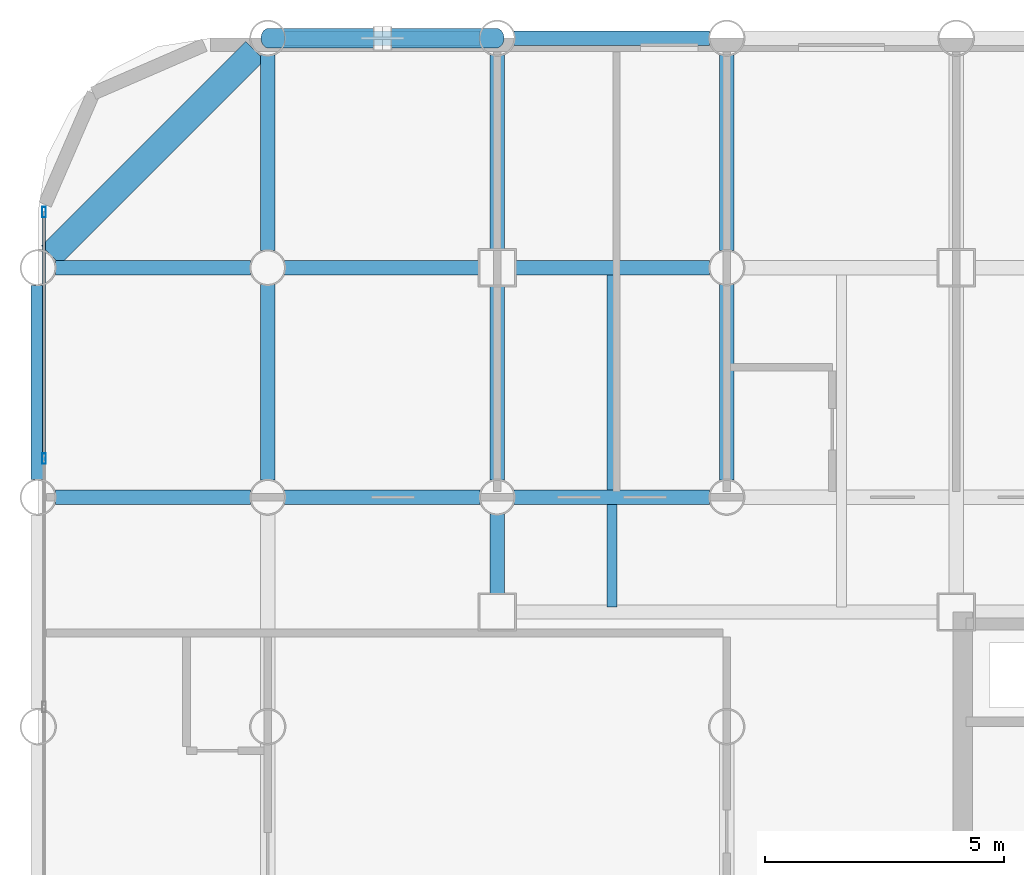
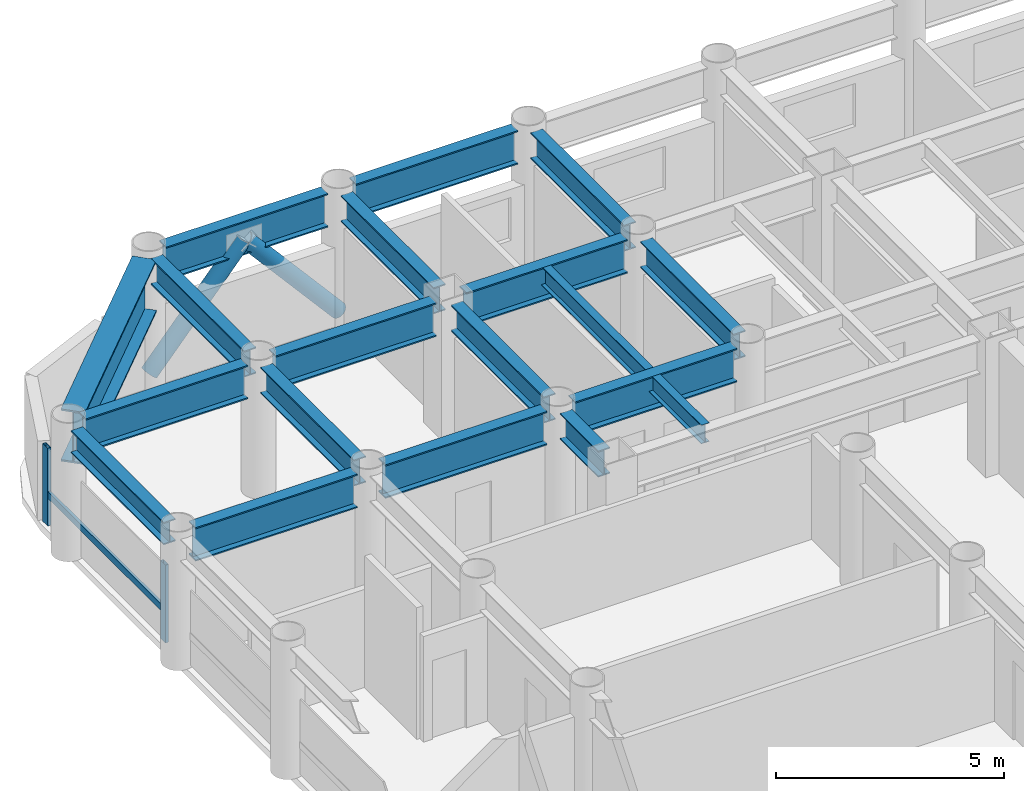
# One storey, part 9 of 22: 18 beams, 5 members, 1 element without a shape of its own.
"""IFC4 building model written with IfcOpenShell, lengths in metres."""

from ifc_helpers import new_model, si_unit, direction, frame, origin, origin_2d, place, context, subcontext, project, spatial, hollow_rectangle, hollow_circle, i_section, extrude, material, layer, layer_set, material_profile, profile_set, type_object, element, aggregate, save


model = new_model("IFC4")

# Units and contexts
model_context = context("Model", 3, precision=1e-05, world=origin(), true_north=direction((0.0, 1.0)))
body_context = subcontext(model_context, "Body", "Model", "MODEL_VIEW")
ifc_project = project(units=[si_unit("LENGTHUNIT", "METRE"), si_unit("AREAUNIT", "SQUARE_METRE"), si_unit("VOLUMEUNIT", "CUBIC_METRE"), si_unit("PLANEANGLEUNIT", "RADIAN"), si_unit("MASSUNIT", "GRAM", prefix="KILO")], contexts=[model_context])

# Site, building, storey
site_placement = place(None, origin())
site = spatial("IfcSite", under=ifc_project, at=site_placement, CompositionType="ELEMENT")
building_placement = place(site_placement, origin())
building = spatial("IfcBuilding", under=site, at=building_placement, Name="Kallvorn Hotel Tower", CompositionType="ELEMENT")
storey_placement = place(building_placement, frame((0.0, 0.0, 37.39990234375)))
storey = spatial("IfcBuildingStorey", under=building, at=storey_placement, Name="L07", CompositionType="ELEMENT", Elevation=37.39990234375)

# Beams
ifc_material_1 = material(Name="Structural steel S355JR", Category="steel")
ifc_material_profile_1 = material_profile(ifc_material_1, i_section(OverallWidth=0.300048828125, OverallDepth=0.60009765625, WebThickness=0.015380859375, FlangeThickness=0.030029296875, at=origin_2d()), Name="HE 600 B")
ifc_profile_set_1 = profile_set([ifc_material_profile_1], Name="Structural steel S355JR")
beam_type_1 = type_object("IfcBeamType", Name="BM_HE600B", PredefinedType="SPANDREL", material=ifc_profile_set_1)
beam_1_placement = place(storey_placement, frame((-33.60009765625, 9.970947265625, 3.22021484375), z_axis=(0.0, 1.0, 0.0), x_axis=(-1.0, 0.0, 0.0)))
element("IfcBeam", 1, at=beam_1_placement, inside=storey, type_object=beam_type_1, Name="L08 Perimeter Spandrel 180", PredefinedType="SPANDREL", context=body_context, shape_type="SweptSolid", body=[
    extrude(i_section(OverallWidth=0.300048828125, OverallDepth=0.60009765625, WebThickness=0.015380859375, FlangeThickness=0.030029296875, at=origin_2d()), origin(), (0.0, 0.0, 1.0), 4.05810546875),
])
ifc_material_2 = material(Name="Structural steel S355JR", Category="steel")
ifc_material_profile_2 = material_profile(ifc_material_2, i_section(OverallWidth=0.300048828125, OverallDepth=0.699951171875, WebThickness=0.01708984375, FlangeThickness=0.031982421875, at=origin_2d()), Name="HE 700 B")
ifc_profile_set_2 = profile_set([ifc_material_profile_2], Name="Structural steel S355JR")
beam_type_2 = type_object("IfcBeamType", Name="BM_HE700B", PredefinedType="BEAM", material=ifc_profile_set_2)
for number, where, z_axis, x_axis, name in (
    (2, (-28.800048828125, 9.9560546875, 3.170166015625), (0.0, 1.0, 0.0), (-1.0, 0.0, 0.0), "L08 Primary Y-Girder 80"),
    (3, (-28.800048828125, 14.756103515625, 3.170166015625), (0.0, 1.0, 0.0), (-1.0, 0.0, 0.0), "L08 Primary Y-Girder 81"),
):
    element("IfcBeam", number, at=place(storey_placement, frame(where, z_axis=z_axis, x_axis=x_axis)), inside=storey, type_object=beam_type_2, Name=name, PredefinedType="BEAM", context=body_context, shape_type="SweptSolid", body=[
        extrude(i_section(OverallWidth=0.300048828125, OverallDepth=0.699951171875, WebThickness=0.01708984375, FlangeThickness=0.031982421875, at=origin_2d()), origin(), (0.0, 0.0, 1.0), 4.087890625),
    ])
beam_2_placement = place(storey_placement, frame((-24.0, 7.574951171875, 3.170166015625), z_axis=(0.0, 1.0, 0.0), x_axis=(-1.0, 0.0, 0.0)))
element("IfcBeam", 4, at=beam_2_placement, inside=storey, type_object=beam_type_2, Name="L08 Primary Y-Girder 86", PredefinedType="BEAM", context=body_context, shape_type="SweptSolid", body=[
    extrude(i_section(OverallWidth=0.300048828125, OverallDepth=0.699951171875, WebThickness=0.01708984375, FlangeThickness=0.031982421875, at=origin_2d()), origin(), (0.0, 0.0, 1.0), 1.6689453125),
])
beam_3_placement = place(storey_placement, frame((-24.0, 9.9560546875, 3.170166015625), z_axis=(0.0, 1.0, 0.0), x_axis=(-1.0, 0.0, 0.0)))
element("IfcBeam", 5, at=beam_3_placement, inside=storey, type_object=beam_type_2, Name="L08 Primary Y-Girder 87", PredefinedType="BEAM", context=body_context, shape_type="SweptSolid", body=[
    extrude(i_section(OverallWidth=0.300048828125, OverallDepth=0.699951171875, WebThickness=0.01708984375, FlangeThickness=0.031982421875, at=origin_2d()), origin(), (0.0, 0.0, 1.0), 4.06884765625),
])
beam_4_placement = place(storey_placement, frame((-24.0, 14.77490234375, 3.170166015625), z_axis=(0.0, 1.0, 0.0), x_axis=(-1.0, 0.0, 0.0)))
element("IfcBeam", 6, at=beam_4_placement, inside=storey, type_object=beam_type_2, Name="L08 Primary Y-Girder 88", PredefinedType="BEAM", context=body_context, shape_type="SweptSolid", body=[
    extrude(i_section(OverallWidth=0.300048828125, OverallDepth=0.699951171875, WebThickness=0.01708984375, FlangeThickness=0.031982421875, at=origin_2d()), origin(), (0.0, 0.0, 1.0), 4.069091796875),
])
for number, where, z_axis, x_axis, name in (
    (7, (-19.199951171875, 9.9560546875, 3.170166015625), (0.0, 1.0, 0.0), (-1.0, 0.0, 0.0), "L08 Primary Y-Girder 96"),
    (8, (-19.199951171875, 14.756103515625, 3.170166015625), (0.0, 1.0, 0.0), (-1.0, 0.0, 0.0), "L08 Primary Y-Girder 97"),
):
    element("IfcBeam", number, at=place(storey_placement, frame(where, z_axis=z_axis, x_axis=x_axis)), inside=storey, type_object=beam_type_2, Name=name, PredefinedType="BEAM", context=body_context, shape_type="SweptSolid", body=[
        extrude(i_section(OverallWidth=0.300048828125, OverallDepth=0.699951171875, WebThickness=0.01708984375, FlangeThickness=0.031982421875, at=origin_2d()), origin(), (0.0, 0.0, 1.0), 4.087890625),
    ])
ifc_material_3 = material(Name="Structural steel S355JR", Category="steel")
ifc_material_profile_3 = material_profile(ifc_material_3, i_section(OverallWidth=0.300048828125, OverallDepth=0.89990234375, WebThickness=0.0185546875, FlangeThickness=0.034912109375, at=origin_2d()), Name="HE 900 B")
ifc_profile_set_3 = profile_set([ifc_material_profile_3], Name="Structural steel S355JR")
beam_type_3 = type_object("IfcBeamType", Name="BM_HE900B", PredefinedType="BEAM", material=ifc_profile_set_3)
beam_5_placement = place(storey_placement, frame((-33.243896484375, 9.60009765625, 3.070068359375), z_axis=(1.0, 0.0, 0.0), x_axis=(0.0, 1.0, 0.0)))
element("IfcBeam", 9, at=beam_5_placement, inside=storey, type_object=beam_type_3, Name="L08 Primary X-Girder 42", PredefinedType="BEAM", context=body_context, shape_type="SweptSolid", body=[
    extrude(i_section(OverallWidth=0.300048828125, OverallDepth=0.89990234375, WebThickness=0.0185546875, FlangeThickness=0.034912109375, at=origin_2d()), origin(), (0.0, 0.0, 1.0), 4.087890625),
])
for number, where, z_axis, x_axis, name in (
    (10, (-28.444091796875, 9.60009765625, 3.070068359375), (1.0, 0.0, 0.0), (0.0, 1.0, 0.0), "L08 Primary X-Girder 43"),
    (11, (-23.64404296875, 9.60009765625, 3.070068359375), (1.0, 0.0, 0.0), (0.0, 1.0, 0.0), "L08 Primary X-Girder 44"),
):
    element("IfcBeam", number, at=place(storey_placement, frame(where, z_axis=z_axis, x_axis=x_axis)), inside=storey, type_object=beam_type_3, Name=name, PredefinedType="BEAM", context=body_context, shape_type="SweptSolid", body=[
        extrude(i_section(OverallWidth=0.300048828125, OverallDepth=0.89990234375, WebThickness=0.0185546875, FlangeThickness=0.034912109375, at=origin_2d()), origin(), (0.0, 0.0, 1.0), 4.088134765625),
    ])
beam_6_placement = place(storey_placement, frame((-33.243896484375, 14.39990234375, 3.070068359375), z_axis=(1.0, 0.0, 0.0), x_axis=(0.0, 1.0, 0.0)))
element("IfcBeam", 12, at=beam_6_placement, inside=storey, type_object=beam_type_3, Name="L08 Primary X-Girder 51", PredefinedType="BEAM", context=body_context, shape_type="SweptSolid", body=[
    extrude(i_section(OverallWidth=0.300048828125, OverallDepth=0.89990234375, WebThickness=0.0185546875, FlangeThickness=0.034912109375, at=origin_2d()), origin(), (0.0, 0.0, 1.0), 4.087890625),
])
for number, where, z_axis, x_axis, name in (
    (13, (-28.444091796875, 14.39990234375, 3.070068359375), (1.0, 0.0, 0.0), (0.0, 1.0, 0.0), "L08 Primary X-Girder 52"),
    (14, (-23.625, 14.39990234375, 3.070068359375), (1.0, 0.0, 0.0), (0.0, 1.0, 0.0), "L08 Primary X-Girder 53"),
):
    element("IfcBeam", number, at=place(storey_placement, frame(where, z_axis=z_axis, x_axis=x_axis)), inside=storey, type_object=beam_type_3, Name=name, PredefinedType="BEAM", context=body_context, shape_type="SweptSolid", body=[
        extrude(i_section(OverallWidth=0.300048828125, OverallDepth=0.89990234375, WebThickness=0.0185546875, FlangeThickness=0.034912109375, at=origin_2d()), origin(), (0.0, 0.0, 1.0), 4.069091796875),
    ])
for number, where, z_axis, x_axis, name in (
    (15, (-28.444091796875, 19.199951171875, 3.070068359375), (1.0, 0.0, 0.0), (0.0, 1.0, 0.0), "L08 Primary X-Girder 61"),
    (16, (-23.64404296875, 19.199951171875, 3.070068359375), (1.0, 0.0, 0.0), (0.0, 1.0, 0.0), "L08 Primary X-Girder 62"),
):
    element("IfcBeam", number, at=place(storey_placement, frame(where, z_axis=z_axis, x_axis=x_axis)), inside=storey, type_object=beam_type_3, Name=name, PredefinedType="BEAM", context=body_context, shape_type="SweptSolid", body=[
        extrude(i_section(OverallWidth=0.300048828125, OverallDepth=0.89990234375, WebThickness=0.0185546875, FlangeThickness=0.034912109375, at=origin_2d()), origin(), (0.0, 0.0, 1.0), 4.088134765625),
    ])
ifc_material_4 = material(Name="Structural steel S355JR", Category="steel")
ifc_material_profile_4 = material_profile(ifc_material_4, i_section(OverallWidth=0.199951171875, OverallDepth=0.5, WebThickness=0.01025390625, FlangeThickness=0.01611328125, at=origin_2d()), Name="IPE 500")
ifc_profile_set_4 = profile_set([ifc_material_profile_4], Name="Structural steel S355JR")
beam_type_4 = type_object("IfcBeamType", Name="BM_IPE500", PredefinedType="JOIST", material=ifc_profile_set_4)
beam_7_placement = place(storey_placement, frame((-21.60009765625, 7.300048828125, 3.27001953125), z_axis=(0.0, 1.0, 0.0), x_axis=(-1.0, 0.0, 0.0)))
element("IfcBeam", 17, at=beam_7_placement, inside=storey, type_object=beam_type_4, Name="L08 Secondary Composite Joist 193", PredefinedType="JOIST", context=body_context, shape_type="SweptSolid", body=[
    extrude(i_section(OverallWidth=0.199951171875, OverallDepth=0.5, WebThickness=0.01025390625, FlangeThickness=0.01611328125, at=origin_2d()), origin(), (0.0, 0.0, 1.0), 7.0),
])
ifc_material_5 = material(Name="Structural steel S355JR", Category="steel")
ifc_material_profile_5 = material_profile(ifc_material_5, i_section(OverallWidth=0.550048828125, OverallDepth=1.39990234375, WebThickness=0.02490234375, FlangeThickness=0.044921875, at=origin_2d()), Name="PG 1400x550x25x45")
ifc_profile_set_5 = profile_set([ifc_material_profile_5], Name="Structural steel S355JR")
beam_type_5 = type_object("IfcBeamType", Name="BM_PG_1400", PredefinedType="BEAM", material=ifc_profile_set_5)
beam_8_placement = place(storey_placement, frame((-33.337646484375, 14.662353515625, 2.820068359375), z_axis=(0.707106781187, 0.707106781187, 0.0), x_axis=(-0.707106781187, 0.707106781187, 0.0)))
element("IfcBeam", 18, at=beam_8_placement, inside=storey, type_object=beam_type_5, Name="L08 Rounded Corner Tie Beam 190", PredefinedType="BEAM", context=body_context, shape_type="SweptSolid", body=[
    extrude(i_section(OverallWidth=0.550048828125, OverallDepth=1.39990234375, WebThickness=0.02490234375, FlangeThickness=0.044921875, at=origin_2d()), origin(), (0.0, 0.0, 1.0), 6.04638671875),
])

# Curtain wall, members
ifc_material_6 = material(Name="Thermally broken black-anodised aluminium AA 6063-T6", Category="aluminium")
ifc_layer = layer(ifc_material_6, 0.199951171875)
ifc_layer_set = layer_set([ifc_layer], Name="CW_SYS_3_HOTEL_LOW")
curtain_wall_type = type_object("IfcCurtainWallType", Name="CW_SYS_3_HOTEL_LOW", PredefinedType="USERDEFINED", material=ifc_layer_set)
curtain_wall_placement = place(storey_placement, origin())
curtain_wall = element("IfcCurtainWall", 19, at=curtain_wall_placement, inside=storey, type_object=curtain_wall_type, Name="L07 Dark-Glass Curtain Wall CW-L07-WN", ObjectType="UNITISED CURTAIN WALL", PredefinedType="USERDEFINED")
ifc_material_7 = material(Name="Thermally broken black-anodised aluminium AA 6063-T6", Category="aluminium")
ifc_material_profile_6 = material_profile(ifc_material_7, hollow_rectangle(XDim=0.080078125, YDim=0.219970703125, WallThickness=0.0048828125, at=origin_2d()), Name="MUL 220x80")
ifc_profile_set_6 = profile_set([ifc_material_profile_6], Name="Thermally broken black-anodised aluminium AA 6063-T6")
member_type_1 = type_object("IfcMemberType", Name="CW_MULLION_220x80", PredefinedType="MULLION", material=ifc_profile_set_6)
member_1_placement = place(storey_placement, frame((-33.47998046875, 10.40673828125, 0.02001953125), z_axis=(0.0, 0.0, 1.0), x_axis=(1.0, 0.0, 0.0)))
member_1 = element("IfcMember", 20, at=member_1_placement, type_object=member_type_1, Name="CW-L07-WN Mullion 02", PredefinedType="MULLION", context=body_context, shape_type="SweptSolid", body=[
    extrude(hollow_rectangle(XDim=0.080078125, YDim=0.219970703125, WallThickness=0.0048828125, at=origin_2d()), origin(), (0.0, 0.0, 1.0), 2.080078125),
])
member_2_placement = place(storey_placement, frame((-33.47998046875, 15.56005859375, 0.02001953125), z_axis=(0.0, 0.0, 1.0), x_axis=(1.0, 0.0, 0.0)))
member_2 = element("IfcMember", 21, at=member_2_placement, type_object=member_type_1, Name="CW-L07-WN Mullion 03", PredefinedType="MULLION", context=body_context, shape_type="SweptSolid", body=[
    extrude(hollow_rectangle(XDim=0.080078125, YDim=0.219970703125, WallThickness=0.0048828125, at=origin_2d()), origin(), (0.0, 0.0, 1.0), 2.080078125),
])
ifc_material_8 = material(Name="Thermally broken black-anodised aluminium AA 6063-T6", Category="aluminium")
ifc_material_profile_7 = material_profile(ifc_material_8, hollow_rectangle(XDim=0.070068359375, YDim=0.179931640625, WallThickness=0.00390625, at=origin_2d()), Name="TRN 180x70")
ifc_profile_set_7 = profile_set([ifc_material_profile_7], Name="Thermally broken black-anodised aluminium AA 6063-T6")
member_type_2 = type_object("IfcMemberType", Name="CW_TRANSOM_180x70", PredefinedType="USERDEFINED", material=ifc_profile_set_7)
member_3_placement = place(storey_placement, frame((-33.47998046875, 10.44677734375, 0.85009765625), z_axis=(0.0, 1.0, 0.0), x_axis=(-1.0, 0.0, 0.0)))
member_3 = element("IfcMember", 22, at=member_3_placement, type_object=member_type_2, Name="CW-L07-WN Transom 02M", ObjectType="TRANSOM", PredefinedType="USERDEFINED", context=body_context, shape_type="SweptSolid", body=[
    extrude(hollow_rectangle(XDim=0.070068359375, YDim=0.179931640625, WallThickness=0.00390625, at=origin_2d()), origin(), (0.0, 0.0, 1.0), 5.11328125),
])
aggregate(curtain_wall, [member_1, member_2, member_3])

# Members
ifc_material_9 = material(Name="Structural steel S355J2H", Category="steel")
ifc_material_profile_8 = material_profile(ifc_material_9, hollow_circle(Radius=0.203125, WallThickness=0.01611328125, at=origin_2d()), Name="CHS 406.4x16")
ifc_profile_set_8 = profile_set([ifc_material_profile_8], Name="Structural steel S355J2H")
member_type_3 = type_object("IfcMemberType", Name="MBR_EXO_CHS406", PredefinedType="BRACE", material=ifc_profile_set_8)
for number, where, z_axis, x_axis, name in (
    (23, (-28.786865234375, 19.199951171875, 0.1953125), (0.65346062529, 0.0, 0.756960508346), (0.0, 1.0, 0.0), "L07 Exoskeleton K-Brace N1A"),
    (24, (-24.01318359375, 19.199951171875, 0.1953125), (-0.65346062529, 0.0, 0.756960508346), (0.0, -1.0, 0.0), "L07 Exoskeleton K-Brace N1B"),
):
    element("IfcMember", number, at=place(storey_placement, frame(where, z_axis=z_axis, x_axis=x_axis)), inside=storey, type_object=member_type_3, Name=name, PredefinedType="BRACE", context=body_context, shape_type="SweptSolid", body=[
        extrude(hollow_circle(Radius=0.203125, WallThickness=0.01611328125, at=origin_2d()), origin(), (0.0, 0.0, 1.0), 3.632568359375),
    ])

save(model, "model.ifc")
